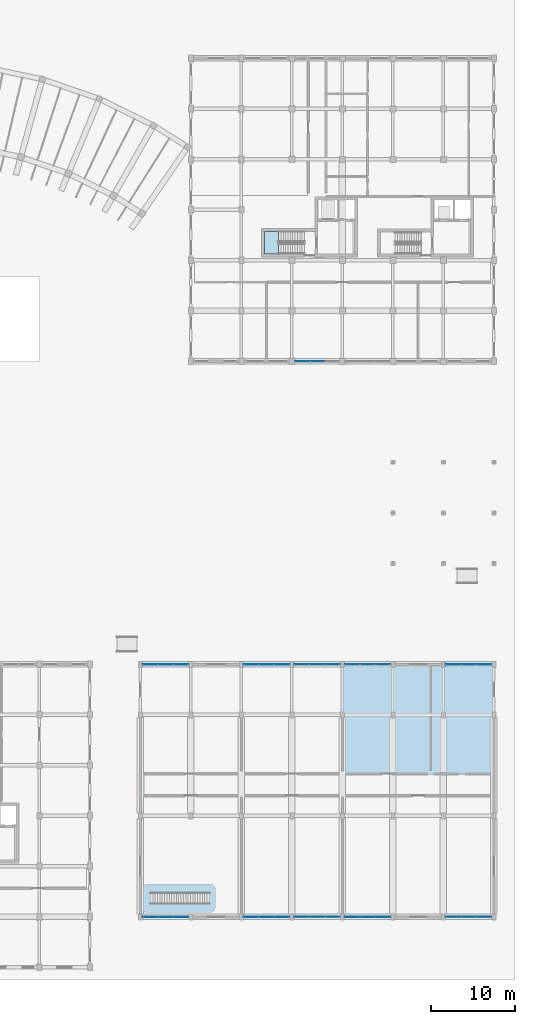
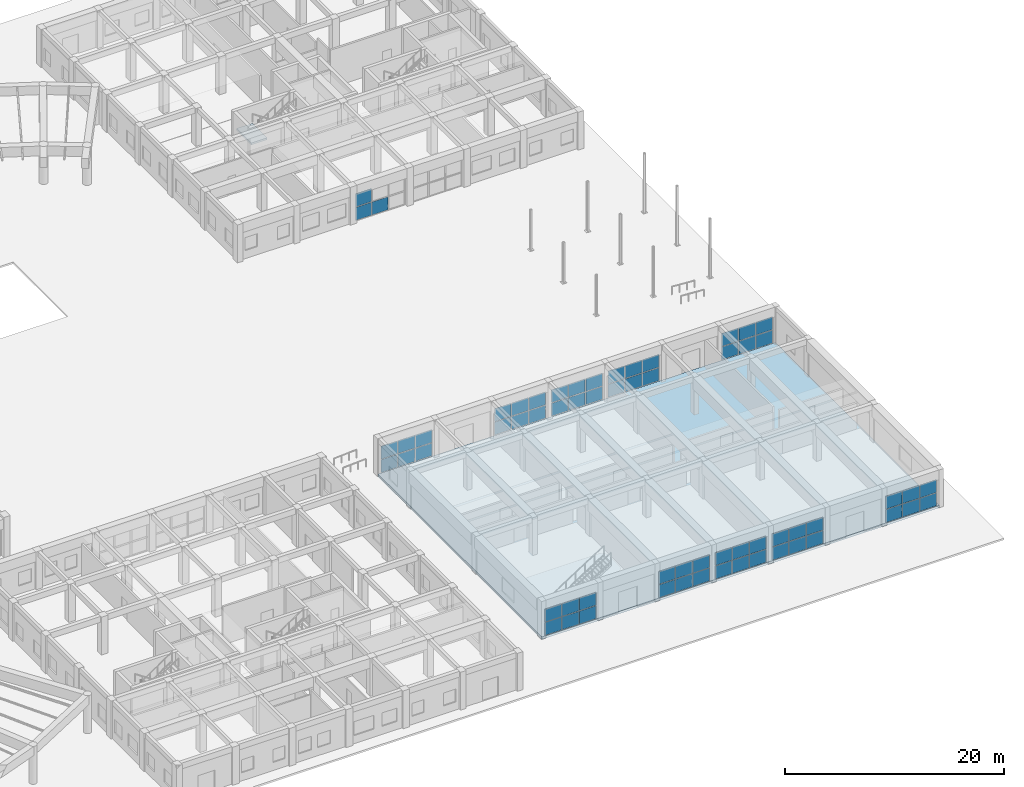
# One storey, part 43 of 76: 63 plates, 2 slabs, 12 elements without a shape of their own.
"""IFC4 building model written with IfcOpenShell, lengths in metres."""

from ifc_helpers import new_model, si_unit, direction, frame, origin, origin_2d, place, context, subcontext, project, spatial, polyline, rectangle, outline, extrude, material, layer, layer_set, type_object, element, aggregate, save


model = new_model("IFC4")

# Units and contexts
model_context = context("Model", 3, precision=1e-05, world=origin(), true_north=direction((0.0, 1.0)))
body_context = subcontext(model_context, "Body", "Model", "MODEL_VIEW")
ifc_project = project(units=[si_unit("LENGTHUNIT", "METRE"), si_unit("AREAUNIT", "SQUARE_METRE"), si_unit("VOLUMEUNIT", "CUBIC_METRE"), si_unit("PLANEANGLEUNIT", "RADIAN"), si_unit("MASSUNIT", "GRAM", prefix="KILO"), si_unit("POWERUNIT", "WATT"), si_unit("THERMODYNAMICTEMPERATUREUNIT", "KELVIN")], contexts=[model_context])

# Site, building, storey
site_placement = place(None, origin())
site = spatial("IfcSite", under=ifc_project, at=site_placement, CompositionType="ELEMENT")
building_placement = place(site_placement, origin())
building = spatial("IfcBuilding", under=site, at=building_placement, Name="Ruvembo Vaulted Housing Court", CompositionType="ELEMENT")
storey_placement = place(building_placement, origin())
storey = spatial("IfcBuildingStorey", under=building, at=storey_placement, Name="L00", CompositionType="ELEMENT", Elevation=0.0)

# Curtain wall, plates
ifc_material_1 = material(Name="Anodised Aluminium and Solar-Control Glass", Category="aluminium")
ifc_layer_1 = layer(ifc_material_1, 0.159912109375, Name="Anodised Aluminium and Solar-Control Glass")
ifc_layer_set_1 = layer_set([ifc_layer_1], Name="Anodised Aluminium and Solar-Control Glass")
curtain_wall_type_1 = type_object("IfcCurtainWallType", Name="CW-SHOPFRONT-S", PredefinedType="NOTDEFINED", material=ifc_layer_set_1)
curtain_wall_1_placement = place(storey_placement, origin())
curtain_wall_1 = element("IfcCurtainWall", 1, at=curtain_wall_1_placement, inside=storey, type_object=curtain_wall_type_1, Name="L00 Curtain Wall CW-L00-0141", PredefinedType="NOTDEFINED")
ifc_material_2 = material(Name="Solar-Control Laminated Insulating Glass", Category="glass")
ifc_layer_2 = layer(ifc_material_2, 0.035888671875, Name="Solar-Control Laminated Insulating Glass")
ifc_layer_set_2 = layer_set([ifc_layer_2], Name="Solar-Control Laminated Insulating Glass")
plate_type_1 = type_object("IfcPlateType", Name="CW-PANEL-ACOUST", PredefinedType="CURTAIN_PANEL", material=ifc_layer_set_2)
plate_1_placement = place(storey_placement, frame((145.181640625, 36.0, 0.06005859375), z_axis=(0.0, 0.0, 1.0), x_axis=(1.0, 0.0, 0.0)))
plate_1 = element("IfcPlate", 2, at=plate_1_placement, type_object=plate_type_1, Name="CW3 panel 1.1", PredefinedType="CURTAIN_PANEL", context=body_context, shape_type="SweptSolid", body=[
    extrude(rectangle(XDim=1.743408203125, YDim=0.035888671875, at=origin_2d()), origin(), (0.0, 0.0, 1.0), 1.44091796875),
])
plate_2_placement = place(storey_placement, frame((145.181640625, 36.0, 1.56103515625), z_axis=(0.0, 0.0, 1.0), x_axis=(1.0, 0.0, 0.0)))
plate_2 = element("IfcPlate", 3, at=plate_2_placement, type_object=plate_type_1, Name="CW3 panel 1.2", PredefinedType="CURTAIN_PANEL", context=body_context, shape_type="SweptSolid", body=[
    extrude(rectangle(XDim=1.743408203125, YDim=0.035888671875, at=origin_2d()), origin(), (0.0, 0.0, 1.0), 1.44091796875),
])
plate_3_placement = place(storey_placement, frame((147.0, 36.0, 0.06005859375), z_axis=(0.0, 0.0, 1.0), x_axis=(1.0, 0.0, 0.0)))
plate_3 = element("IfcPlate", 4, at=plate_3_placement, type_object=plate_type_1, Name="CW3 panel 2.1", PredefinedType="CURTAIN_PANEL", context=body_context, shape_type="SweptSolid", body=[
    extrude(rectangle(XDim=1.7734375, YDim=0.035888671875, at=origin_2d()), origin(), (0.0, 0.0, 1.0), 1.44091796875),
])
plate_4_placement = place(storey_placement, frame((147.0, 36.0, 1.56103515625), z_axis=(0.0, 0.0, 1.0), x_axis=(1.0, 0.0, 0.0)))
plate_4 = element("IfcPlate", 5, at=plate_4_placement, type_object=plate_type_1, Name="CW3 panel 2.2", PredefinedType="CURTAIN_PANEL", context=body_context, shape_type="SweptSolid", body=[
    extrude(rectangle(XDim=1.7734375, YDim=0.035888671875, at=origin_2d()), origin(), (0.0, 0.0, 1.0), 1.44091796875),
])
plate_5_placement = place(storey_placement, frame((148.818359375, 36.0, 0.06005859375), z_axis=(0.0, 0.0, 1.0), x_axis=(1.0, 0.0, 0.0)))
plate_5 = element("IfcPlate", 6, at=plate_5_placement, type_object=plate_type_1, Name="CW3 panel 3.1", PredefinedType="CURTAIN_PANEL", context=body_context, shape_type="SweptSolid", body=[
    extrude(rectangle(XDim=1.743408203125, YDim=0.035888671875, at=origin_2d()), origin(), (0.0, 0.0, 1.0), 1.44091796875),
])
plate_6_placement = place(storey_placement, frame((148.818359375, 36.0, 1.56103515625), z_axis=(0.0, 0.0, 1.0), x_axis=(1.0, 0.0, 0.0)))
plate_6 = element("IfcPlate", 7, at=plate_6_placement, type_object=plate_type_1, Name="CW3 panel 3.2", PredefinedType="CURTAIN_PANEL", context=body_context, shape_type="SweptSolid", body=[
    extrude(rectangle(XDim=1.743408203125, YDim=0.035888671875, at=origin_2d()), origin(), (0.0, 0.0, 1.0), 1.44091796875),
])
aggregate(curtain_wall_1, [plate_1, plate_2, plate_3, plate_4, plate_5, plate_6])

curtain_wall_2_placement = place(storey_placement, origin())
curtain_wall_2 = element("IfcCurtainWall", 8, at=curtain_wall_2_placement, inside=storey, type_object=curtain_wall_type_1, Name="L00 Curtain Wall CW-L00-0147", PredefinedType="NOTDEFINED")
plate_7_placement = place(storey_placement, frame((157.180419921875, 36.0, 0.06005859375), z_axis=(0.0, 0.0, 1.0), x_axis=(1.0, 0.0, 0.0)))
plate_7 = element("IfcPlate", 9, at=plate_7_placement, type_object=plate_type_1, Name="CW3 panel 1.1", PredefinedType="CURTAIN_PANEL", context=body_context, shape_type="SweptSolid", body=[
    extrude(rectangle(XDim=1.750732421875, YDim=0.035888671875, at=origin_2d()), origin(), (0.0, 0.0, 1.0), 1.44091796875),
])
plate_8_placement = place(storey_placement, frame((157.180419921875, 36.0, 1.56103515625), z_axis=(0.0, 0.0, 1.0), x_axis=(1.0, 0.0, 0.0)))
plate_8 = element("IfcPlate", 10, at=plate_8_placement, type_object=plate_type_1, Name="CW3 panel 1.2", PredefinedType="CURTAIN_PANEL", context=body_context, shape_type="SweptSolid", body=[
    extrude(rectangle(XDim=1.750732421875, YDim=0.035888671875, at=origin_2d()), origin(), (0.0, 0.0, 1.0), 1.44091796875),
])
plate_9_placement = place(storey_placement, frame((159.0, 36.0, 0.06005859375), z_axis=(0.0, 0.0, 1.0), x_axis=(1.0, 0.0, 0.0)))
plate_9 = element("IfcPlate", 11, at=plate_9_placement, type_object=plate_type_1, Name="CW3 panel 2.1", PredefinedType="CURTAIN_PANEL", context=body_context, shape_type="SweptSolid", body=[
    extrude(rectangle(XDim=1.7783203125, YDim=0.035888671875, at=origin_2d()), origin(), (0.0, 0.0, 1.0), 1.44091796875),
])
plate_10_placement = place(storey_placement, frame((159.0, 36.0, 1.56103515625), z_axis=(0.0, 0.0, 1.0), x_axis=(1.0, 0.0, 0.0)))
plate_10 = element("IfcPlate", 12, at=plate_10_placement, type_object=plate_type_1, Name="CW3 panel 2.2", PredefinedType="CURTAIN_PANEL", context=body_context, shape_type="SweptSolid", body=[
    extrude(rectangle(XDim=1.7783203125, YDim=0.035888671875, at=origin_2d()), origin(), (0.0, 0.0, 1.0), 1.44091796875),
])
plate_11_placement = place(storey_placement, frame((160.819580078125, 36.0, 0.06005859375), z_axis=(0.0, 0.0, 1.0), x_axis=(1.0, 0.0, 0.0)))
plate_11 = element("IfcPlate", 13, at=plate_11_placement, type_object=plate_type_1, Name="CW3 panel 3.1", PredefinedType="CURTAIN_PANEL", context=body_context, shape_type="SweptSolid", body=[
    extrude(rectangle(XDim=1.750732421875, YDim=0.035888671875, at=origin_2d()), origin(), (0.0, 0.0, 1.0), 1.44091796875),
])
plate_12_placement = place(storey_placement, frame((160.819580078125, 36.0, 1.56103515625), z_axis=(0.0, 0.0, 1.0), x_axis=(1.0, 0.0, 0.0)))
plate_12 = element("IfcPlate", 14, at=plate_12_placement, type_object=plate_type_1, Name="CW3 panel 3.2", PredefinedType="CURTAIN_PANEL", context=body_context, shape_type="SweptSolid", body=[
    extrude(rectangle(XDim=1.750732421875, YDim=0.035888671875, at=origin_2d()), origin(), (0.0, 0.0, 1.0), 1.44091796875),
])
aggregate(curtain_wall_2, [plate_7, plate_8, plate_9, plate_10, plate_11, plate_12])

curtain_wall_3_placement = place(storey_placement, origin())
curtain_wall_3 = element("IfcCurtainWall", 15, at=curtain_wall_3_placement, inside=storey, type_object=curtain_wall_type_1, Name="L00 Curtain Wall CW-L00-0153", PredefinedType="NOTDEFINED")
plate_13_placement = place(storey_placement, frame((169.181640625, 6.0, 0.06005859375), z_axis=(0.0, 0.0, 1.0), x_axis=(1.0, 0.0, 0.0)))
plate_13 = element("IfcPlate", 16, at=plate_13_placement, type_object=plate_type_1, Name="CW3 panel 1.1", PredefinedType="CURTAIN_PANEL", context=body_context, shape_type="SweptSolid", body=[
    extrude(rectangle(XDim=1.743408203125, YDim=0.035888671875, at=origin_2d()), origin(), (0.0, 0.0, 1.0), 1.44091796875),
])
plate_14_placement = place(storey_placement, frame((169.181640625, 6.0, 1.56103515625), z_axis=(0.0, 0.0, 1.0), x_axis=(1.0, 0.0, 0.0)))
plate_14 = element("IfcPlate", 17, at=plate_14_placement, type_object=plate_type_1, Name="CW3 panel 1.2", PredefinedType="CURTAIN_PANEL", context=body_context, shape_type="SweptSolid", body=[
    extrude(rectangle(XDim=1.743408203125, YDim=0.035888671875, at=origin_2d()), origin(), (0.0, 0.0, 1.0), 1.44091796875),
])
plate_15_placement = place(storey_placement, frame((171.0, 6.0, 0.06005859375), z_axis=(0.0, 0.0, 1.0), x_axis=(1.0, 0.0, 0.0)))
plate_15 = element("IfcPlate", 18, at=plate_15_placement, type_object=plate_type_1, Name="CW3 panel 2.1", PredefinedType="CURTAIN_PANEL", context=body_context, shape_type="SweptSolid", body=[
    extrude(rectangle(XDim=1.7734375, YDim=0.035888671875, at=origin_2d()), origin(), (0.0, 0.0, 1.0), 1.44091796875),
])
plate_16_placement = place(storey_placement, frame((171.0, 6.0, 1.56103515625), z_axis=(0.0, 0.0, 1.0), x_axis=(1.0, 0.0, 0.0)))
plate_16 = element("IfcPlate", 19, at=plate_16_placement, type_object=plate_type_1, Name="CW3 panel 2.2", PredefinedType="CURTAIN_PANEL", context=body_context, shape_type="SweptSolid", body=[
    extrude(rectangle(XDim=1.7734375, YDim=0.035888671875, at=origin_2d()), origin(), (0.0, 0.0, 1.0), 1.44091796875),
])
plate_17_placement = place(storey_placement, frame((172.818359375, 6.0, 0.06005859375), z_axis=(0.0, 0.0, 1.0), x_axis=(1.0, 0.0, 0.0)))
plate_17 = element("IfcPlate", 20, at=plate_17_placement, type_object=plate_type_1, Name="CW3 panel 3.1", PredefinedType="CURTAIN_PANEL", context=body_context, shape_type="SweptSolid", body=[
    extrude(rectangle(XDim=1.743408203125, YDim=0.035888671875, at=origin_2d()), origin(), (0.0, 0.0, 1.0), 1.44091796875),
])
plate_18_placement = place(storey_placement, frame((172.818359375, 6.0, 1.56103515625), z_axis=(0.0, 0.0, 1.0), x_axis=(1.0, 0.0, 0.0)))
plate_18 = element("IfcPlate", 21, at=plate_18_placement, type_object=plate_type_1, Name="CW3 panel 3.2", PredefinedType="CURTAIN_PANEL", context=body_context, shape_type="SweptSolid", body=[
    extrude(rectangle(XDim=1.743408203125, YDim=0.035888671875, at=origin_2d()), origin(), (0.0, 0.0, 1.0), 1.44091796875),
])
aggregate(curtain_wall_3, [plate_13, plate_14, plate_15, plate_16, plate_17, plate_18])

curtain_wall_4_placement = place(storey_placement, origin())
curtain_wall_4 = element("IfcCurtainWall", 22, at=curtain_wall_4_placement, inside=storey, type_object=curtain_wall_type_1, Name="L00 Curtain Wall CW-L00-0156", PredefinedType="NOTDEFINED")
plate_19_placement = place(storey_placement, frame((181.181640625, 36.0, 0.06005859375), z_axis=(0.0, 0.0, 1.0), x_axis=(1.0, 0.0, 0.0)))
plate_19 = element("IfcPlate", 23, at=plate_19_placement, type_object=plate_type_1, Name="CW3 panel 1.1", PredefinedType="CURTAIN_PANEL", context=body_context, shape_type="SweptSolid", body=[
    extrude(rectangle(XDim=1.743408203125, YDim=0.035888671875, at=origin_2d()), origin(), (0.0, 0.0, 1.0), 1.44091796875),
])
plate_20_placement = place(storey_placement, frame((181.181640625, 36.0, 1.56103515625), z_axis=(0.0, 0.0, 1.0), x_axis=(1.0, 0.0, 0.0)))
plate_20 = element("IfcPlate", 24, at=plate_20_placement, type_object=plate_type_1, Name="CW3 panel 1.2", PredefinedType="CURTAIN_PANEL", context=body_context, shape_type="SweptSolid", body=[
    extrude(rectangle(XDim=1.743408203125, YDim=0.035888671875, at=origin_2d()), origin(), (0.0, 0.0, 1.0), 1.44091796875),
])
plate_21_placement = place(storey_placement, frame((183.0, 36.0, 0.06005859375), z_axis=(0.0, 0.0, 1.0), x_axis=(1.0, 0.0, 0.0)))
plate_21 = element("IfcPlate", 25, at=plate_21_placement, type_object=plate_type_1, Name="CW3 panel 2.1", PredefinedType="CURTAIN_PANEL", context=body_context, shape_type="SweptSolid", body=[
    extrude(rectangle(XDim=1.7734375, YDim=0.035888671875, at=origin_2d()), origin(), (0.0, 0.0, 1.0), 1.44091796875),
])
plate_22_placement = place(storey_placement, frame((183.0, 36.0, 1.56103515625), z_axis=(0.0, 0.0, 1.0), x_axis=(1.0, 0.0, 0.0)))
plate_22 = element("IfcPlate", 26, at=plate_22_placement, type_object=plate_type_1, Name="CW3 panel 2.2", PredefinedType="CURTAIN_PANEL", context=body_context, shape_type="SweptSolid", body=[
    extrude(rectangle(XDim=1.7734375, YDim=0.035888671875, at=origin_2d()), origin(), (0.0, 0.0, 1.0), 1.44091796875),
])
plate_23_placement = place(storey_placement, frame((184.818359375, 36.0, 0.06005859375), z_axis=(0.0, 0.0, 1.0), x_axis=(1.0, 0.0, 0.0)))
plate_23 = element("IfcPlate", 27, at=plate_23_placement, type_object=plate_type_1, Name="CW3 panel 3.1", PredefinedType="CURTAIN_PANEL", context=body_context, shape_type="SweptSolid", body=[
    extrude(rectangle(XDim=1.743408203125, YDim=0.035888671875, at=origin_2d()), origin(), (0.0, 0.0, 1.0), 1.44091796875),
])
plate_24_placement = place(storey_placement, frame((184.818359375, 36.0, 1.56103515625), z_axis=(0.0, 0.0, 1.0), x_axis=(1.0, 0.0, 0.0)))
plate_24 = element("IfcPlate", 28, at=plate_24_placement, type_object=plate_type_1, Name="CW3 panel 3.2", PredefinedType="CURTAIN_PANEL", context=body_context, shape_type="SweptSolid", body=[
    extrude(rectangle(XDim=1.743408203125, YDim=0.035888671875, at=origin_2d()), origin(), (0.0, 0.0, 1.0), 1.44091796875),
])
aggregate(curtain_wall_4, [plate_19, plate_20, plate_21, plate_22, plate_23, plate_24])

curtain_wall_5_placement = place(storey_placement, origin())
curtain_wall_5 = element("IfcCurtainWall", 29, at=curtain_wall_5_placement, inside=storey, type_object=curtain_wall_type_1, Name="L00 Curtain Wall CW-L00-0149", PredefinedType="NOTDEFINED")
ifc_layer_3 = layer(ifc_material_2, 0.028076171875, Name="Solar-Control Laminated Insulating Glass")
ifc_layer_set_3 = layer_set([ifc_layer_3], Name="Solar-Control Laminated Insulating Glass")
plate_type_2 = type_object("IfcPlateType", Name="CW-PANEL-GLAZED", PredefinedType="CURTAIN_PANEL", material=ifc_layer_set_3)
plate_25_placement = place(storey_placement, frame((163.181640625, 6.0, 0.06005859375), z_axis=(0.0, 0.0, 1.0), x_axis=(1.0, 0.0, 0.0)))
plate_25 = element("IfcPlate", 30, at=plate_25_placement, type_object=plate_type_2, Name="CW3 panel 1.1", PredefinedType="CURTAIN_PANEL", context=body_context, shape_type="SweptSolid", body=[
    extrude(rectangle(XDim=1.743408203125, YDim=0.028076171875, at=origin_2d()), origin(), (0.0, 0.0, 1.0), 1.44091796875),
])
plate_26_placement = place(storey_placement, frame((163.181640625, 6.0, 1.56103515625), z_axis=(0.0, 0.0, 1.0), x_axis=(1.0, 0.0, 0.0)))
plate_26 = element("IfcPlate", 31, at=plate_26_placement, type_object=plate_type_2, Name="CW3 panel 1.2", PredefinedType="CURTAIN_PANEL", context=body_context, shape_type="SweptSolid", body=[
    extrude(rectangle(XDim=1.743408203125, YDim=0.028076171875, at=origin_2d()), origin(), (0.0, 0.0, 1.0), 1.44091796875),
])
plate_27_placement = place(storey_placement, frame((165.0, 6.0, 0.06005859375), z_axis=(0.0, 0.0, 1.0), x_axis=(1.0, 0.0, 0.0)))
plate_27 = element("IfcPlate", 32, at=plate_27_placement, type_object=plate_type_2, Name="CW3 panel 2.1", PredefinedType="CURTAIN_PANEL", context=body_context, shape_type="SweptSolid", body=[
    extrude(rectangle(XDim=1.7734375, YDim=0.028076171875, at=origin_2d()), origin(), (0.0, 0.0, 1.0), 1.44091796875),
])
plate_28_placement = place(storey_placement, frame((165.0, 6.0, 1.56103515625), z_axis=(0.0, 0.0, 1.0), x_axis=(1.0, 0.0, 0.0)))
plate_28 = element("IfcPlate", 33, at=plate_28_placement, type_object=plate_type_2, Name="CW3 panel 2.2", PredefinedType="CURTAIN_PANEL", context=body_context, shape_type="SweptSolid", body=[
    extrude(rectangle(XDim=1.7734375, YDim=0.028076171875, at=origin_2d()), origin(), (0.0, 0.0, 1.0), 1.44091796875),
])
plate_29_placement = place(storey_placement, frame((166.818359375, 6.0, 0.06005859375), z_axis=(0.0, 0.0, 1.0), x_axis=(1.0, 0.0, 0.0)))
plate_29 = element("IfcPlate", 34, at=plate_29_placement, type_object=plate_type_2, Name="CW3 panel 3.1", PredefinedType="CURTAIN_PANEL", context=body_context, shape_type="SweptSolid", body=[
    extrude(rectangle(XDim=1.743408203125, YDim=0.028076171875, at=origin_2d()), origin(), (0.0, 0.0, 1.0), 1.44091796875),
])
plate_30_placement = place(storey_placement, frame((166.818359375, 6.0, 1.56103515625), z_axis=(0.0, 0.0, 1.0), x_axis=(1.0, 0.0, 0.0)))
plate_30 = element("IfcPlate", 35, at=plate_30_placement, type_object=plate_type_2, Name="CW3 panel 3.2", PredefinedType="CURTAIN_PANEL", context=body_context, shape_type="SweptSolid", body=[
    extrude(rectangle(XDim=1.743408203125, YDim=0.028076171875, at=origin_2d()), origin(), (0.0, 0.0, 1.0), 1.44091796875),
])
aggregate(curtain_wall_5, [plate_25, plate_26, plate_27, plate_28, plate_29, plate_30])

curtain_wall_6_placement = place(storey_placement, origin())
curtain_wall_6 = element("IfcCurtainWall", 36, at=curtain_wall_6_placement, inside=storey, type_object=curtain_wall_type_1, Name="L00 Curtain Wall CW-L00-0155", PredefinedType="NOTDEFINED")
plate_31_placement = place(storey_placement, frame((181.180419921875, 6.0, 0.06005859375), z_axis=(0.0, 0.0, 1.0), x_axis=(1.0, 0.0, 0.0)))
plate_31 = element("IfcPlate", 37, at=plate_31_placement, type_object=plate_type_2, Name="CW3 panel 1.1", PredefinedType="CURTAIN_PANEL", context=body_context, shape_type="SweptSolid", body=[
    extrude(rectangle(XDim=1.750732421875, YDim=0.028076171875, at=origin_2d()), origin(), (0.0, 0.0, 1.0), 1.44091796875),
])
plate_32_placement = place(storey_placement, frame((181.180419921875, 6.0, 1.56103515625), z_axis=(0.0, 0.0, 1.0), x_axis=(1.0, 0.0, 0.0)))
plate_32 = element("IfcPlate", 38, at=plate_32_placement, type_object=plate_type_2, Name="CW3 panel 1.2", PredefinedType="CURTAIN_PANEL", context=body_context, shape_type="SweptSolid", body=[
    extrude(rectangle(XDim=1.750732421875, YDim=0.028076171875, at=origin_2d()), origin(), (0.0, 0.0, 1.0), 1.44091796875),
])
plate_33_placement = place(storey_placement, frame((183.0, 6.0, 0.06005859375), z_axis=(0.0, 0.0, 1.0), x_axis=(1.0, 0.0, 0.0)))
plate_33 = element("IfcPlate", 39, at=plate_33_placement, type_object=plate_type_2, Name="CW3 panel 2.1", PredefinedType="CURTAIN_PANEL", context=body_context, shape_type="SweptSolid", body=[
    extrude(rectangle(XDim=1.7783203125, YDim=0.028076171875, at=origin_2d()), origin(), (0.0, 0.0, 1.0), 1.44091796875),
])
plate_34_placement = place(storey_placement, frame((183.0, 6.0, 1.56103515625), z_axis=(0.0, 0.0, 1.0), x_axis=(1.0, 0.0, 0.0)))
plate_34 = element("IfcPlate", 40, at=plate_34_placement, type_object=plate_type_2, Name="CW3 panel 2.2", PredefinedType="CURTAIN_PANEL", context=body_context, shape_type="SweptSolid", body=[
    extrude(rectangle(XDim=1.7783203125, YDim=0.028076171875, at=origin_2d()), origin(), (0.0, 0.0, 1.0), 1.44091796875),
])
plate_35_placement = place(storey_placement, frame((184.819580078125, 6.0, 0.06005859375), z_axis=(0.0, 0.0, 1.0), x_axis=(1.0, 0.0, 0.0)))
plate_35 = element("IfcPlate", 41, at=plate_35_placement, type_object=plate_type_2, Name="CW3 panel 3.1", PredefinedType="CURTAIN_PANEL", context=body_context, shape_type="SweptSolid", body=[
    extrude(rectangle(XDim=1.750732421875, YDim=0.028076171875, at=origin_2d()), origin(), (0.0, 0.0, 1.0), 1.44091796875),
])
plate_36_placement = place(storey_placement, frame((184.819580078125, 6.0, 1.56103515625), z_axis=(0.0, 0.0, 1.0), x_axis=(1.0, 0.0, 0.0)))
plate_36 = element("IfcPlate", 42, at=plate_36_placement, type_object=plate_type_2, Name="CW3 panel 3.2", PredefinedType="CURTAIN_PANEL", context=body_context, shape_type="SweptSolid", body=[
    extrude(rectangle(XDim=1.750732421875, YDim=0.028076171875, at=origin_2d()), origin(), (0.0, 0.0, 1.0), 1.44091796875),
])
aggregate(curtain_wall_6, [plate_31, plate_32, plate_33, plate_34, plate_35, plate_36])

ifc_layer_4 = layer(ifc_material_1, 0.159912109375, Name="Anodised Aluminium and Solar-Control Glass")
ifc_layer_set_4 = layer_set([ifc_layer_4], Name="Anodised Aluminium and Solar-Control Glass")
curtain_wall_type_2 = type_object("IfcCurtainWallType", Name="CW-LOBBY", PredefinedType="NOTDEFINED", material=ifc_layer_set_4)
curtain_wall_7_placement = place(storey_placement, origin())
curtain_wall_7 = element("IfcCurtainWall", 43, at=curtain_wall_7_placement, inside=storey, type_object=curtain_wall_type_2, Name="L00 Curtain Wall CW-L00-0007", PredefinedType="NOTDEFINED")
ifc_layer_5 = layer(ifc_material_2, 0.031982421875, Name="Solar-Control Laminated Insulating Glass")
ifc_layer_set_5 = layer_set([ifc_layer_5], Name="Solar-Control Laminated Insulating Glass")
plate_type_3 = type_object("IfcPlateType", Name="CW-PANEL-SOLAR", PredefinedType="CURTAIN_PANEL", material=ifc_layer_set_5)
plate_37_placement = place(storey_placement, frame((163.2470703125, 72.0, 0.06494140625), z_axis=(0.0, 0.0, 1.0), x_axis=(1.0, 0.0, 0.0)))
plate_37 = element("IfcPlate", 44, at=plate_37_placement, type_object=plate_type_3, Name="CW5 panel 1.1", PredefinedType="CURTAIN_PANEL", context=body_context, shape_type="SweptSolid", body=[
    extrude(rectangle(XDim=1.68408203125, YDim=0.031982421875, at=origin_2d()), origin(), (0.0, 0.0, 1.0), 1.45849609375),
])
plate_38_placement = place(storey_placement, frame((163.2470703125, 72.0, 1.588623046875), z_axis=(0.0, 0.0, 1.0), x_axis=(1.0, 0.0, 0.0)))
plate_38 = element("IfcPlate", 45, at=plate_38_placement, type_object=plate_type_3, Name="CW5 panel 1.2", PredefinedType="CURTAIN_PANEL", context=body_context, shape_type="SweptSolid", body=[
    extrude(rectangle(XDim=1.68408203125, YDim=0.031982421875, at=origin_2d()), origin(), (0.0, 0.0, 1.0), 1.45849609375),
])
plate_39_placement = place(storey_placement, frame((165.0, 72.0, 0.06494140625), z_axis=(0.0, 0.0, 1.0), x_axis=(1.0, 0.0, 0.0)))
plate_39 = element("IfcPlate", 46, at=plate_39_placement, type_object=plate_type_3, Name="CW5 panel 2.1", PredefinedType="CURTAIN_PANEL", context=body_context, shape_type="SweptSolid", body=[
    extrude(rectangle(XDim=1.711669921875, YDim=0.031982421875, at=origin_2d()), origin(), (0.0, 0.0, 1.0), 1.45849609375),
])
aggregate(curtain_wall_7, [plate_37, plate_38, plate_39])

curtain_wall_8_placement = place(storey_placement, origin())
curtain_wall_8 = element("IfcCurtainWall", 47, at=curtain_wall_8_placement, inside=storey, type_object=curtain_wall_type_1, Name="L00 Curtain Wall CW-L00-0139", PredefinedType="NOTDEFINED")
plate_40_placement = place(storey_placement, frame((145.180419921875, 6.0, 0.06494140625), z_axis=(0.0, 0.0, 1.0), x_axis=(1.0, 0.0, 0.0)))
plate_40 = element("IfcPlate", 48, at=plate_40_placement, type_object=plate_type_3, Name="CW3 panel 1.1", PredefinedType="CURTAIN_PANEL", context=body_context, shape_type="SweptSolid", body=[
    extrude(rectangle(XDim=1.750732421875, YDim=0.031982421875, at=origin_2d()), origin(), (0.0, 0.0, 1.0), 1.43359375),
])
plate_41_placement = place(storey_placement, frame((145.180419921875, 6.0, 1.5634765625), z_axis=(0.0, 0.0, 1.0), x_axis=(1.0, 0.0, 0.0)))
plate_41 = element("IfcPlate", 49, at=plate_41_placement, type_object=plate_type_3, Name="CW3 panel 1.2", PredefinedType="CURTAIN_PANEL", context=body_context, shape_type="SweptSolid", body=[
    extrude(rectangle(XDim=1.750732421875, YDim=0.031982421875, at=origin_2d()), origin(), (0.0, 0.0, 1.0), 1.43359375),
])
plate_42_placement = place(storey_placement, frame((147.0, 6.0, 0.06494140625), z_axis=(0.0, 0.0, 1.0), x_axis=(1.0, 0.0, 0.0)))
plate_42 = element("IfcPlate", 50, at=plate_42_placement, type_object=plate_type_3, Name="CW3 panel 2.1", PredefinedType="CURTAIN_PANEL", context=body_context, shape_type="SweptSolid", body=[
    extrude(rectangle(XDim=1.7783203125, YDim=0.031982421875, at=origin_2d()), origin(), (0.0, 0.0, 1.0), 1.43359375),
])
plate_43_placement = place(storey_placement, frame((147.0, 6.0, 1.5634765625), z_axis=(0.0, 0.0, 1.0), x_axis=(1.0, 0.0, 0.0)))
plate_43 = element("IfcPlate", 51, at=plate_43_placement, type_object=plate_type_3, Name="CW3 panel 2.2", PredefinedType="CURTAIN_PANEL", context=body_context, shape_type="SweptSolid", body=[
    extrude(rectangle(XDim=1.7783203125, YDim=0.031982421875, at=origin_2d()), origin(), (0.0, 0.0, 1.0), 1.43359375),
])
plate_44_placement = place(storey_placement, frame((148.819580078125, 6.0, 0.06494140625), z_axis=(0.0, 0.0, 1.0), x_axis=(1.0, 0.0, 0.0)))
plate_44 = element("IfcPlate", 52, at=plate_44_placement, type_object=plate_type_3, Name="CW3 panel 3.1", PredefinedType="CURTAIN_PANEL", context=body_context, shape_type="SweptSolid", body=[
    extrude(rectangle(XDim=1.750732421875, YDim=0.031982421875, at=origin_2d()), origin(), (0.0, 0.0, 1.0), 1.43359375),
])
plate_45_placement = place(storey_placement, frame((148.819580078125, 6.0, 1.5634765625), z_axis=(0.0, 0.0, 1.0), x_axis=(1.0, 0.0, 0.0)))
plate_45 = element("IfcPlate", 53, at=plate_45_placement, type_object=plate_type_3, Name="CW3 panel 3.2", PredefinedType="CURTAIN_PANEL", context=body_context, shape_type="SweptSolid", body=[
    extrude(rectangle(XDim=1.750732421875, YDim=0.031982421875, at=origin_2d()), origin(), (0.0, 0.0, 1.0), 1.43359375),
])
aggregate(curtain_wall_8, [plate_40, plate_41, plate_42, plate_43, plate_44, plate_45])

curtain_wall_9_placement = place(storey_placement, origin())
curtain_wall_9 = element("IfcCurtainWall", 54, at=curtain_wall_9_placement, inside=storey, type_object=curtain_wall_type_1, Name="L00 Curtain Wall CW-L00-0145", PredefinedType="NOTDEFINED")
plate_46_placement = place(storey_placement, frame((157.181640625, 6.0, 0.06494140625), z_axis=(0.0, 0.0, 1.0), x_axis=(1.0, 0.0, 0.0)))
plate_46 = element("IfcPlate", 55, at=plate_46_placement, type_object=plate_type_3, Name="CW3 panel 1.1", PredefinedType="CURTAIN_PANEL", context=body_context, shape_type="SweptSolid", body=[
    extrude(rectangle(XDim=1.743408203125, YDim=0.031982421875, at=origin_2d()), origin(), (0.0, 0.0, 1.0), 1.43359375),
])
plate_47_placement = place(storey_placement, frame((157.181640625, 6.0, 1.5634765625), z_axis=(0.0, 0.0, 1.0), x_axis=(1.0, 0.0, 0.0)))
plate_47 = element("IfcPlate", 56, at=plate_47_placement, type_object=plate_type_3, Name="CW3 panel 1.2", PredefinedType="CURTAIN_PANEL", context=body_context, shape_type="SweptSolid", body=[
    extrude(rectangle(XDim=1.743408203125, YDim=0.031982421875, at=origin_2d()), origin(), (0.0, 0.0, 1.0), 1.43359375),
])
plate_48_placement = place(storey_placement, frame((159.0, 6.0, 0.06494140625), z_axis=(0.0, 0.0, 1.0), x_axis=(1.0, 0.0, 0.0)))
plate_48 = element("IfcPlate", 57, at=plate_48_placement, type_object=plate_type_3, Name="CW3 panel 2.1", PredefinedType="CURTAIN_PANEL", context=body_context, shape_type="SweptSolid", body=[
    extrude(rectangle(XDim=1.7734375, YDim=0.031982421875, at=origin_2d()), origin(), (0.0, 0.0, 1.0), 1.43359375),
])
plate_49_placement = place(storey_placement, frame((159.0, 6.0, 1.5634765625), z_axis=(0.0, 0.0, 1.0), x_axis=(1.0, 0.0, 0.0)))
plate_49 = element("IfcPlate", 58, at=plate_49_placement, type_object=plate_type_3, Name="CW3 panel 2.2", PredefinedType="CURTAIN_PANEL", context=body_context, shape_type="SweptSolid", body=[
    extrude(rectangle(XDim=1.7734375, YDim=0.031982421875, at=origin_2d()), origin(), (0.0, 0.0, 1.0), 1.43359375),
])
plate_50_placement = place(storey_placement, frame((160.818359375, 6.0, 0.06494140625), z_axis=(0.0, 0.0, 1.0), x_axis=(1.0, 0.0, 0.0)))
plate_50 = element("IfcPlate", 59, at=plate_50_placement, type_object=plate_type_3, Name="CW3 panel 3.1", PredefinedType="CURTAIN_PANEL", context=body_context, shape_type="SweptSolid", body=[
    extrude(rectangle(XDim=1.743408203125, YDim=0.031982421875, at=origin_2d()), origin(), (0.0, 0.0, 1.0), 1.43359375),
])
plate_51_placement = place(storey_placement, frame((160.818359375, 6.0, 1.5634765625), z_axis=(0.0, 0.0, 1.0), x_axis=(1.0, 0.0, 0.0)))
plate_51 = element("IfcPlate", 60, at=plate_51_placement, type_object=plate_type_3, Name="CW3 panel 3.2", PredefinedType="CURTAIN_PANEL", context=body_context, shape_type="SweptSolid", body=[
    extrude(rectangle(XDim=1.743408203125, YDim=0.031982421875, at=origin_2d()), origin(), (0.0, 0.0, 1.0), 1.43359375),
])
aggregate(curtain_wall_9, [plate_46, plate_47, plate_48, plate_49, plate_50, plate_51])

curtain_wall_10_placement = place(storey_placement, origin())
curtain_wall_10 = element("IfcCurtainWall", 61, at=curtain_wall_10_placement, inside=storey, type_object=curtain_wall_type_1, Name="L00 Curtain Wall CW-L00-0151", PredefinedType="NOTDEFINED")
plate_52_placement = place(storey_placement, frame((163.180419921875, 36.0, 0.06494140625), z_axis=(0.0, 0.0, 1.0), x_axis=(1.0, 0.0, 0.0)))
plate_52 = element("IfcPlate", 62, at=plate_52_placement, type_object=plate_type_3, Name="CW3 panel 1.1", PredefinedType="CURTAIN_PANEL", context=body_context, shape_type="SweptSolid", body=[
    extrude(rectangle(XDim=1.750732421875, YDim=0.031982421875, at=origin_2d()), origin(), (0.0, 0.0, 1.0), 1.43359375),
])
plate_53_placement = place(storey_placement, frame((163.180419921875, 36.0, 1.5634765625), z_axis=(0.0, 0.0, 1.0), x_axis=(1.0, 0.0, 0.0)))
plate_53 = element("IfcPlate", 63, at=plate_53_placement, type_object=plate_type_3, Name="CW3 panel 1.2", PredefinedType="CURTAIN_PANEL", context=body_context, shape_type="SweptSolid", body=[
    extrude(rectangle(XDim=1.750732421875, YDim=0.031982421875, at=origin_2d()), origin(), (0.0, 0.0, 1.0), 1.43359375),
])
plate_54_placement = place(storey_placement, frame((165.0, 36.0, 0.06494140625), z_axis=(0.0, 0.0, 1.0), x_axis=(1.0, 0.0, 0.0)))
plate_54 = element("IfcPlate", 64, at=plate_54_placement, type_object=plate_type_3, Name="CW3 panel 2.1", PredefinedType="CURTAIN_PANEL", context=body_context, shape_type="SweptSolid", body=[
    extrude(rectangle(XDim=1.7783203125, YDim=0.031982421875, at=origin_2d()), origin(), (0.0, 0.0, 1.0), 1.43359375),
])
plate_55_placement = place(storey_placement, frame((165.0, 36.0, 1.5634765625), z_axis=(0.0, 0.0, 1.0), x_axis=(1.0, 0.0, 0.0)))
plate_55 = element("IfcPlate", 65, at=plate_55_placement, type_object=plate_type_3, Name="CW3 panel 2.2", PredefinedType="CURTAIN_PANEL", context=body_context, shape_type="SweptSolid", body=[
    extrude(rectangle(XDim=1.7783203125, YDim=0.031982421875, at=origin_2d()), origin(), (0.0, 0.0, 1.0), 1.43359375),
])
plate_56_placement = place(storey_placement, frame((166.819580078125, 36.0, 0.06494140625), z_axis=(0.0, 0.0, 1.0), x_axis=(1.0, 0.0, 0.0)))
plate_56 = element("IfcPlate", 66, at=plate_56_placement, type_object=plate_type_3, Name="CW3 panel 3.1", PredefinedType="CURTAIN_PANEL", context=body_context, shape_type="SweptSolid", body=[
    extrude(rectangle(XDim=1.750732421875, YDim=0.031982421875, at=origin_2d()), origin(), (0.0, 0.0, 1.0), 1.43359375),
])
plate_57_placement = place(storey_placement, frame((166.819580078125, 36.0, 1.5634765625), z_axis=(0.0, 0.0, 1.0), x_axis=(1.0, 0.0, 0.0)))
plate_57 = element("IfcPlate", 67, at=plate_57_placement, type_object=plate_type_3, Name="CW3 panel 3.2", PredefinedType="CURTAIN_PANEL", context=body_context, shape_type="SweptSolid", body=[
    extrude(rectangle(XDim=1.750732421875, YDim=0.031982421875, at=origin_2d()), origin(), (0.0, 0.0, 1.0), 1.43359375),
])
aggregate(curtain_wall_10, [plate_52, plate_53, plate_54, plate_55, plate_56, plate_57])

curtain_wall_11_placement = place(storey_placement, origin())
curtain_wall_11 = element("IfcCurtainWall", 68, at=curtain_wall_11_placement, inside=storey, type_object=curtain_wall_type_1, Name="L00 Curtain Wall CW-L00-0154", PredefinedType="NOTDEFINED")
plate_58_placement = place(storey_placement, frame((169.182861328125, 36.0, 0.06494140625), z_axis=(0.0, 0.0, 1.0), x_axis=(1.0, 0.0, 0.0)))
plate_58 = element("IfcPlate", 69, at=plate_58_placement, type_object=plate_type_3, Name="CW3 panel 1.1", PredefinedType="CURTAIN_PANEL", context=body_context, shape_type="SweptSolid", body=[
    extrude(rectangle(XDim=1.73583984375, YDim=0.031982421875, at=origin_2d()), origin(), (0.0, 0.0, 1.0), 1.43359375),
])
plate_59_placement = place(storey_placement, frame((169.182861328125, 36.0, 1.5634765625), z_axis=(0.0, 0.0, 1.0), x_axis=(1.0, 0.0, 0.0)))
plate_59 = element("IfcPlate", 70, at=plate_59_placement, type_object=plate_type_3, Name="CW3 panel 1.2", PredefinedType="CURTAIN_PANEL", context=body_context, shape_type="SweptSolid", body=[
    extrude(rectangle(XDim=1.73583984375, YDim=0.031982421875, at=origin_2d()), origin(), (0.0, 0.0, 1.0), 1.43359375),
])
plate_60_placement = place(storey_placement, frame((171.0, 36.0, 0.06494140625), z_axis=(0.0, 0.0, 1.0), x_axis=(1.0, 0.0, 0.0)))
plate_60 = element("IfcPlate", 71, at=plate_60_placement, type_object=plate_type_3, Name="CW3 panel 2.1", PredefinedType="CURTAIN_PANEL", context=body_context, shape_type="SweptSolid", body=[
    extrude(rectangle(XDim=1.768310546875, YDim=0.031982421875, at=origin_2d()), origin(), (0.0, 0.0, 1.0), 1.43359375),
])
plate_61_placement = place(storey_placement, frame((171.0, 36.0, 1.5634765625), z_axis=(0.0, 0.0, 1.0), x_axis=(1.0, 0.0, 0.0)))
plate_61 = element("IfcPlate", 72, at=plate_61_placement, type_object=plate_type_3, Name="CW3 panel 2.2", PredefinedType="CURTAIN_PANEL", context=body_context, shape_type="SweptSolid", body=[
    extrude(rectangle(XDim=1.768310546875, YDim=0.031982421875, at=origin_2d()), origin(), (0.0, 0.0, 1.0), 1.43359375),
])
plate_62_placement = place(storey_placement, frame((172.817138671875, 36.0, 0.06494140625), z_axis=(0.0, 0.0, 1.0), x_axis=(1.0, 0.0, 0.0)))
plate_62 = element("IfcPlate", 73, at=plate_62_placement, type_object=plate_type_3, Name="CW3 panel 3.1", PredefinedType="CURTAIN_PANEL", context=body_context, shape_type="SweptSolid", body=[
    extrude(rectangle(XDim=1.73583984375, YDim=0.031982421875, at=origin_2d()), origin(), (0.0, 0.0, 1.0), 1.43359375),
])
plate_63_placement = place(storey_placement, frame((172.817138671875, 36.0, 1.5634765625), z_axis=(0.0, 0.0, 1.0), x_axis=(1.0, 0.0, 0.0)))
plate_63 = element("IfcPlate", 74, at=plate_63_placement, type_object=plate_type_3, Name="CW3 panel 3.2", PredefinedType="CURTAIN_PANEL", context=body_context, shape_type="SweptSolid", body=[
    extrude(rectangle(XDim=1.73583984375, YDim=0.031982421875, at=origin_2d()), origin(), (0.0, 0.0, 1.0), 1.43359375),
])
aggregate(curtain_wall_11, [plate_58, plate_59, plate_60, plate_61, plate_62, plate_63])

# Slab
ifc_material_3 = material(Name="Concrete C30/37", Category="concrete")
ifc_layer_6 = layer(ifc_material_3, 0.284912109375, Name="Concrete C30/37")
ifc_layer_set_6 = layer_set([ifc_layer_6], Name="Concrete C30/37")
slab_type_1 = type_object("IfcSlabType", Name="SL-FLR-285", PredefinedType="FLOOR", material=ifc_layer_set_6)
slab_1_placement = place(storey_placement, frame((0.0, 0.0, -0.284912109375)))
element("IfcSlab", 75, at=slab_1_placement, inside=storey, type_object=slab_type_1, Name="Shops and Cafe L00 Ground Floor Slab", PredefinedType="FLOOR", context=body_context, shape_type="SweptSolid", body=[
    extrude(outline(polyline([(144.0, 6.0), (186.0, 6.0), (186.0, 36.0), (144.0, 36.0), (144.0, 6.0)])), origin(), (0.0, 0.0, 1.0), 0.284912109375),
])

# Stair, slab
ifc_material_4 = material(Name="Concrete C35/45", Category="concrete")
stair_type = type_object("IfcStairType", Name="STR-CORE-1250", PredefinedType="HALF_TURN_STAIR", material=ifc_material_4)
stair_placement = place(storey_placement, origin())
stair = element("IfcStair", 76, at=stair_placement, inside=storey, type_object=stair_type, Name="L00 Protected Exit Stair ST-D1", PredefinedType="HALF_TURN_STAIR")
ifc_layer_7 = layer(ifc_material_3, 0.201904296875, Name="Concrete C30/37")
ifc_layer_set_7 = layer_set([ifc_layer_7], Name="Concrete C30/37")
slab_type_2 = type_object("IfcSlabType", Name="SL-LAND-202", PredefinedType="LANDING", material=ifc_layer_set_7)
slab_2_placement = place(storey_placement, frame((0.0, 0.0, 2.050048828125)))
slab_2 = element("IfcSlab", 77, at=slab_2_placement, type_object=slab_type_2, Name="ST-D1 landing 1", PredefinedType="LANDING", context=body_context, shape_type="SweptSolid", body=[
    extrude(outline(polyline([(160.419921875, 87.449951171875), (158.75, 87.449951171875), (158.75, 84.75), (160.419921875, 84.75), (160.419921875, 87.449951171875)])), origin(), (0.0, 0.0, 1.0), 0.199951171875),
])
aggregate(stair, [slab_2])

save(model, "model.ifc")
